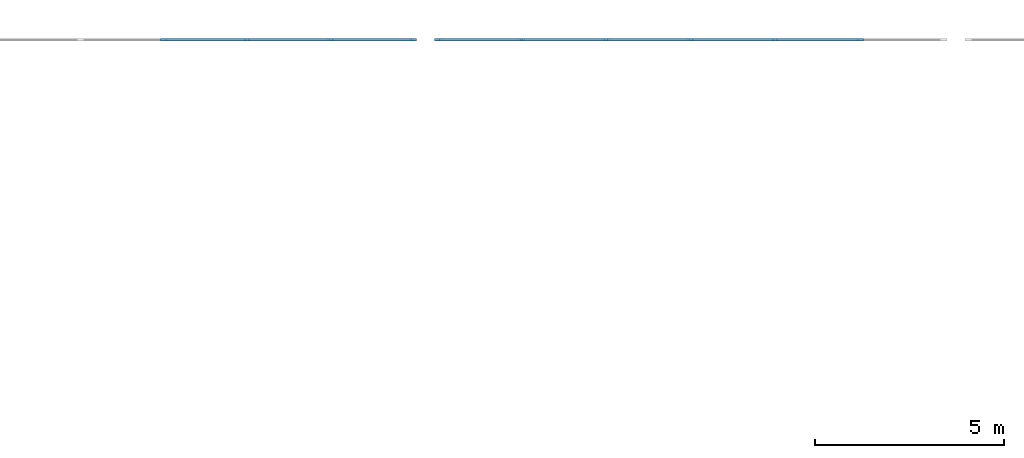
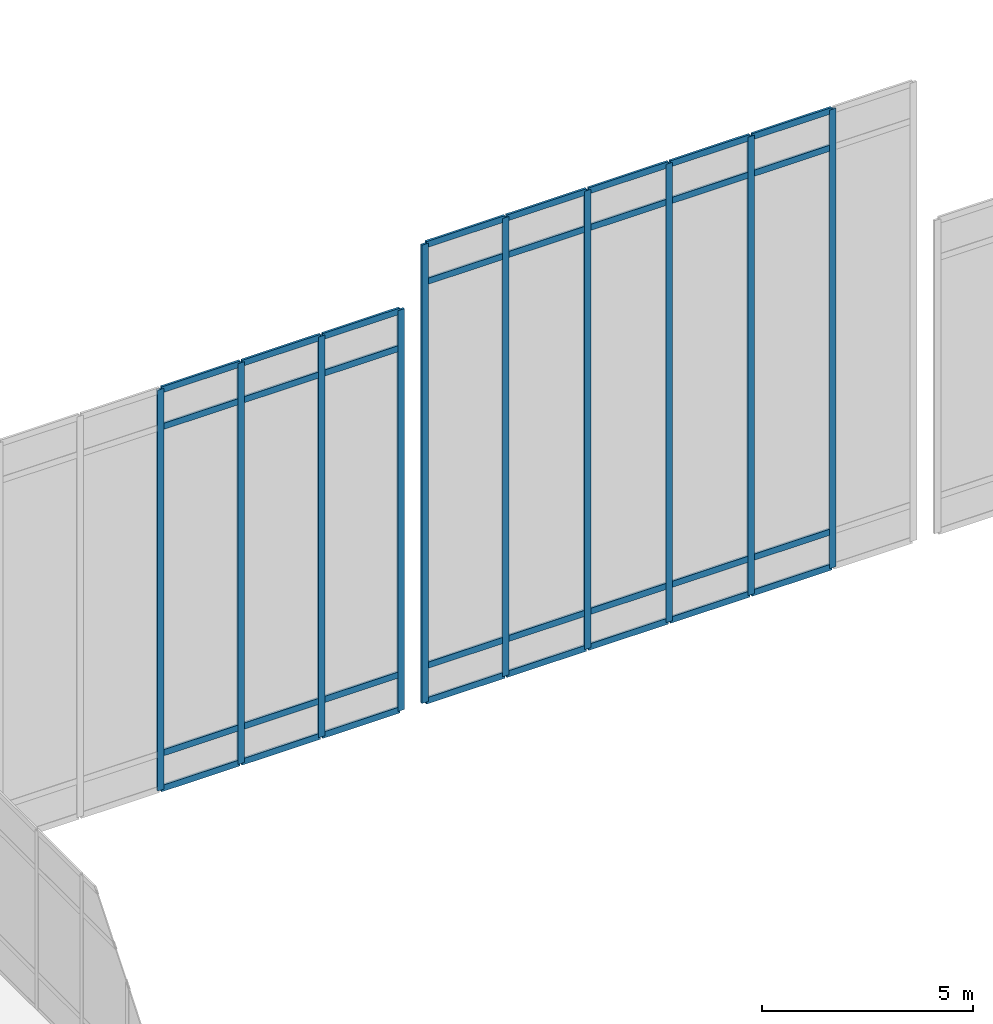
# One storey, part 19 of 42: 42 members, 2 elements without a shape of their own.
"""IFC4 building model written with IfcOpenShell, lengths in metres."""

from ifc_helpers import new_model, si_unit, derived_unit, direction, frame, origin, origin_2d, place, context, subcontext, project, spatial, rectangle, extrude, material, layer, layer_set, material_profile, profile_set, type_object, element, aggregate, save


model = new_model("IFC4")

# Units and contexts
model_context = context("Model", 3, precision=1e-05, world=origin(), true_north=direction((0.0, 1.0)))
body_context = subcontext(model_context, "Body", "Model", "MODEL_VIEW")
ifc_project = project(units=[si_unit("LENGTHUNIT", "METRE"), si_unit("AREAUNIT", "SQUARE_METRE"), si_unit("VOLUMEUNIT", "CUBIC_METRE"), si_unit("PLANEANGLEUNIT", "RADIAN"), si_unit("MASSUNIT", "GRAM", prefix="KILO"), derived_unit("THERMALTRANSMITTANCEUNIT", [(si_unit("MASSUNIT", "GRAM", prefix="KILO"), 1), (si_unit("TIMEUNIT", "SECOND"), -3), (si_unit("THERMODYNAMICTEMPERATUREUNIT", "KELVIN"), -1)])], contexts=[model_context])

# Site, building, storey
site_placement = place(None, origin())
site = spatial("IfcSite", under=ifc_project, at=site_placement, CompositionType="ELEMENT")
building_placement = place(site_placement, origin())
building = spatial("IfcBuilding", under=site, at=building_placement, Name="Valcora Ridge Arena", CompositionType="ELEMENT")
storey_placement = place(building_placement, frame((0.0, 0.0, 26.39990234375)))
storey = spatial("IfcBuildingStorey", under=building, at=storey_placement, Name="L05", CompositionType="ELEMENT", Elevation=26.39990234375)

# Curtain wall, members
ifc_material = material(Name="Anodised dark bronze architectural aluminium 6063-T6", Category="aluminium")
ifc_layer_1 = layer(ifc_material, 0.179931640625, Name="Anodised dark bronze architectural aluminium 6063-T6")
ifc_layer_set_1 = layer_set([ifc_layer_1], Name="Anodised dark bronze architectural aluminium 6063-T6")
curtain_wall_type_1 = type_object("IfcCurtainWallType", Name="TY-CURTAINWALL-CW-V1-TYMPN-132X116", PredefinedType="NOTDEFINED", material=ifc_layer_set_1)
curtain_wall_1_placement = place(storey_placement, origin())
curtain_wall_1 = element("IfcCurtainWall", 1, at=curtain_wall_1_placement, inside=storey, type_object=curtain_wall_type_1, Name="CW-V1-TYMPN-132X116 CW-0173", PredefinedType="NOTDEFINED")
ifc_material_profile_1 = material_profile(ifc_material, rectangle(XDim=0.06005859375, YDim=0.179931640625, at=origin_2d()), Name="ALU MULLION 60x180")
ifc_profile_set_1 = profile_set([ifc_material_profile_1], Name="Anodised dark bronze architectural aluminium 6063-T6")
member_type_1 = type_object("IfcMemberType", Name="TY-MEM-CWM-60x180", PredefinedType="MULLION", material=ifc_profile_set_1)
member_1_placement = place(storey_placement, frame((45.39990234375, 107.97998046875, 0.0), z_axis=(0.0, 0.0, 1.0), x_axis=(0.0, 1.0, 0.0)))
member_1 = element("IfcMember", 2, at=member_1_placement, type_object=member_type_1, Name="CW-0173/CWM-60x180/M03", PredefinedType="MULLION", context=body_context, shape_type="SweptSolid", body=[
    extrude(rectangle(XDim=0.06005859375, YDim=0.179931640625, at=origin_2d()), origin(), (0.0, 0.0, 1.0), 11.57666015625),
])
member_2_placement = place(storey_placement, frame((47.60009765625, 107.97998046875, 0.0), z_axis=(0.0, 0.0, 1.0), x_axis=(0.0, 1.0, 0.0)))
member_2 = element("IfcMember", 3, at=member_2_placement, type_object=member_type_1, Name="CW-0173/CWM-60x180/M04", PredefinedType="MULLION", context=body_context, shape_type="SweptSolid", body=[
    extrude(rectangle(XDim=0.06005859375, YDim=0.179931640625, at=origin_2d()), origin(), (0.0, 0.0, 1.0), 11.57666015625),
])
member_3_placement = place(storey_placement, frame((49.800048828125, 107.97998046875, 0.0), z_axis=(0.0, 0.0, 1.0), x_axis=(0.0, 1.0, 0.0)))
member_3 = element("IfcMember", 4, at=member_3_placement, type_object=member_type_1, Name="CW-0173/CWM-60x180/M05", PredefinedType="MULLION", context=body_context, shape_type="SweptSolid", body=[
    extrude(rectangle(XDim=0.06005859375, YDim=0.179931640625, at=origin_2d()), origin(), (0.0, 0.0, 1.0), 11.57666015625),
])
member_4_placement = place(storey_placement, frame((51.969970703125, 107.97998046875, 0.0), z_axis=(0.0, 0.0, 1.0), x_axis=(0.0, 1.0, 0.0)))
member_4 = element("IfcMember", 5, at=member_4_placement, type_object=member_type_1, Name="CW-0173/CWM-60x180/M06", PredefinedType="MULLION", context=body_context, shape_type="SweptSolid", body=[
    extrude(rectangle(XDim=0.06005859375, YDim=0.179931640625, at=origin_2d()), origin(), (0.0, 0.0, 1.0), 11.57666015625),
])

ifc_layer_2 = layer(ifc_material, 0.179931640625, Name="Anodised dark bronze architectural aluminium 6063-T6")
ifc_layer_set_2 = layer_set([ifc_layer_2], Name="Anodised dark bronze architectural aluminium 6063-T6")
curtain_wall_type_2 = type_object("IfcCurtainWallType", Name="TY-CURTAINWALL-CW-V1-TYMPN-134X132", PredefinedType="NOTDEFINED", material=ifc_layer_set_2)
curtain_wall_2_placement = place(storey_placement, origin())
curtain_wall_2 = element("IfcCurtainWall", 6, at=curtain_wall_2_placement, inside=storey, type_object=curtain_wall_type_2, Name="CW-V1-TYMPN-134X132 CW-0175", PredefinedType="NOTDEFINED")
member_5_placement = place(storey_placement, frame((52.6298828125, 107.97998046875, 0.0), z_axis=(0.0, 0.0, 1.0), x_axis=(0.0, 1.0, 0.0)))
member_5 = element("IfcMember", 7, at=member_5_placement, type_object=member_type_1, Name="CW-0175/CWM-60x180/M00", PredefinedType="MULLION", context=body_context, shape_type="SweptSolid", body=[
    extrude(rectangle(XDim=0.06005859375, YDim=0.179931640625, at=origin_2d()), origin(), (0.0, 0.0, 1.0), 13.239990234375),
])
member_6_placement = place(storey_placement, frame((54.833251953125, 107.97998046875, 0.0), z_axis=(0.0, 0.0, 1.0), x_axis=(0.0, 1.0, 0.0)))
member_6 = element("IfcMember", 8, at=member_6_placement, type_object=member_type_1, Name="CW-0175/CWM-60x180/M01", PredefinedType="MULLION", context=body_context, shape_type="SweptSolid", body=[
    extrude(rectangle(XDim=0.06005859375, YDim=0.179931640625, at=origin_2d()), origin(), (0.0, 0.0, 1.0), 13.239990234375),
])
member_7_placement = place(storey_placement, frame((57.066650390625, 107.97998046875, 0.0), z_axis=(0.0, 0.0, 1.0), x_axis=(0.0, 1.0, 0.0)))
member_7 = element("IfcMember", 9, at=member_7_placement, type_object=member_type_1, Name="CW-0175/CWM-60x180/M02", PredefinedType="MULLION", context=body_context, shape_type="SweptSolid", body=[
    extrude(rectangle(XDim=0.06005859375, YDim=0.179931640625, at=origin_2d()), origin(), (0.0, 0.0, 1.0), 13.239990234375),
])
member_8_placement = place(storey_placement, frame((59.300048828125, 107.97998046875, 0.0), z_axis=(0.0, 0.0, 1.0), x_axis=(0.0, 1.0, 0.0)))
member_8 = element("IfcMember", 10, at=member_8_placement, type_object=member_type_1, Name="CW-0175/CWM-60x180/M03", PredefinedType="MULLION", context=body_context, shape_type="SweptSolid", body=[
    extrude(rectangle(XDim=0.06005859375, YDim=0.179931640625, at=origin_2d()), origin(), (0.0, 0.0, 1.0), 13.239990234375),
])
member_9_placement = place(storey_placement, frame((61.533203125, 107.97998046875, 0.0), z_axis=(0.0, 0.0, 1.0), x_axis=(0.0, 1.0, 0.0)))
member_9 = element("IfcMember", 11, at=member_9_placement, type_object=member_type_1, Name="CW-0175/CWM-60x180/M04", PredefinedType="MULLION", context=body_context, shape_type="SweptSolid", body=[
    extrude(rectangle(XDim=0.06005859375, YDim=0.179931640625, at=origin_2d()), origin(), (0.0, 0.0, 1.0), 13.239990234375),
])
member_10_placement = place(storey_placement, frame((63.7666015625, 107.97998046875, 0.0), z_axis=(0.0, 0.0, 1.0), x_axis=(0.0, 1.0, 0.0)))
member_10 = element("IfcMember", 12, at=member_10_placement, type_object=member_type_1, Name="CW-0175/CWM-60x180/M05", PredefinedType="MULLION", context=body_context, shape_type="SweptSolid", body=[
    extrude(rectangle(XDim=0.06005859375, YDim=0.179931640625, at=origin_2d()), origin(), (0.0, 0.0, 1.0), 13.239990234375),
])

# Member
ifc_material_profile_2 = material_profile(ifc_material, rectangle(XDim=0.06005859375, YDim=0.179931640625, at=origin_2d()), Name="ALU TRANSOM 60x180")
ifc_profile_set_2 = profile_set([ifc_material_profile_2], Name="Anodised dark bronze architectural aluminium 6063-T6")
member_type_2 = type_object("IfcMemberType", Name="TY-MEM-CWT-60x180", PredefinedType="USERDEFINED", material=ifc_profile_set_2)
member_11_placement = place(storey_placement, frame((45.429931640625, 107.97998046875, 0.030029296875), z_axis=(1.0, 0.0, 0.0), x_axis=(0.0, 1.0, 0.0)))
member_11 = element("IfcMember", 13, at=member_11_placement, type_object=member_type_2, Name="CW-0173/CWT-60x180/T03-00", ObjectType="TRANSOM", PredefinedType="USERDEFINED", context=body_context, shape_type="SweptSolid", body=[
    extrude(rectangle(XDim=0.06005859375, YDim=0.179931640625, at=origin_2d()), origin(), (0.0, 0.0, 1.0), 2.14013671875),
])

member_12_placement = place(storey_placement, frame((45.429931640625, 107.97998046875, 1.050048828125), z_axis=(1.0, 0.0, 0.0), x_axis=(0.0, 1.0, 0.0)))
member_12 = element("IfcMember", 14, at=member_12_placement, type_object=member_type_2, Name="CW-0173/CWT-60x180/T03-01", ObjectType="TRANSOM", PredefinedType="USERDEFINED", context=body_context, shape_type="SweptSolid", body=[
    extrude(rectangle(XDim=0.06005859375, YDim=0.179931640625, at=origin_2d()), origin(), (0.0, 0.0, 1.0), 2.14013671875),
])

member_13_placement = place(storey_placement, frame((45.429931640625, 107.97998046875, 10.476806640625), z_axis=(1.0, 0.0, 0.0), x_axis=(0.0, 1.0, 0.0)))
member_13 = element("IfcMember", 15, at=member_13_placement, type_object=member_type_2, Name="CW-0173/CWT-60x180/T03-02", ObjectType="TRANSOM", PredefinedType="USERDEFINED", context=body_context, shape_type="SweptSolid", body=[
    extrude(rectangle(XDim=0.06005859375, YDim=0.179931640625, at=origin_2d()), origin(), (0.0, 0.0, 1.0), 2.14013671875),
])

member_14_placement = place(storey_placement, frame((45.429931640625, 107.97998046875, 11.546630859375), z_axis=(1.0, 0.0, 0.0), x_axis=(0.0, 1.0, 0.0)))
member_14 = element("IfcMember", 16, at=member_14_placement, type_object=member_type_2, Name="CW-0173/CWT-60x180/T03-03", ObjectType="TRANSOM", PredefinedType="USERDEFINED", context=body_context, shape_type="SweptSolid", body=[
    extrude(rectangle(XDim=0.06005859375, YDim=0.179931640625, at=origin_2d()), origin(), (0.0, 0.0, 1.0), 2.14013671875),
])

member_15_placement = place(storey_placement, frame((47.6298828125, 107.97998046875, 0.030029296875), z_axis=(1.0, 0.0, 0.0), x_axis=(0.0, 1.0, 0.0)))
member_15 = element("IfcMember", 17, at=member_15_placement, type_object=member_type_2, Name="CW-0173/CWT-60x180/T04-00", ObjectType="TRANSOM", PredefinedType="USERDEFINED", context=body_context, shape_type="SweptSolid", body=[
    extrude(rectangle(XDim=0.06005859375, YDim=0.179931640625, at=origin_2d()), origin(), (0.0, 0.0, 1.0), 2.14013671875),
])

member_16_placement = place(storey_placement, frame((47.6298828125, 107.97998046875, 1.050048828125), z_axis=(1.0, 0.0, 0.0), x_axis=(0.0, 1.0, 0.0)))
member_16 = element("IfcMember", 18, at=member_16_placement, type_object=member_type_2, Name="CW-0173/CWT-60x180/T04-01", ObjectType="TRANSOM", PredefinedType="USERDEFINED", context=body_context, shape_type="SweptSolid", body=[
    extrude(rectangle(XDim=0.06005859375, YDim=0.179931640625, at=origin_2d()), origin(), (0.0, 0.0, 1.0), 2.14013671875),
])

member_17_placement = place(storey_placement, frame((47.6298828125, 107.97998046875, 10.476806640625), z_axis=(1.0, 0.0, 0.0), x_axis=(0.0, 1.0, 0.0)))
member_17 = element("IfcMember", 19, at=member_17_placement, type_object=member_type_2, Name="CW-0173/CWT-60x180/T04-02", ObjectType="TRANSOM", PredefinedType="USERDEFINED", context=body_context, shape_type="SweptSolid", body=[
    extrude(rectangle(XDim=0.06005859375, YDim=0.179931640625, at=origin_2d()), origin(), (0.0, 0.0, 1.0), 2.14013671875),
])

member_18_placement = place(storey_placement, frame((47.6298828125, 107.97998046875, 11.546630859375), z_axis=(1.0, 0.0, 0.0), x_axis=(0.0, 1.0, 0.0)))
member_18 = element("IfcMember", 20, at=member_18_placement, type_object=member_type_2, Name="CW-0173/CWT-60x180/T04-03", ObjectType="TRANSOM", PredefinedType="USERDEFINED", context=body_context, shape_type="SweptSolid", body=[
    extrude(rectangle(XDim=0.06005859375, YDim=0.179931640625, at=origin_2d()), origin(), (0.0, 0.0, 1.0), 2.14013671875),
])

member_19_placement = place(storey_placement, frame((49.830078125, 107.97998046875, 0.030029296875), z_axis=(1.0, 0.0, 0.0), x_axis=(0.0, 1.0, 0.0)))
member_19 = element("IfcMember", 21, at=member_19_placement, type_object=member_type_2, Name="CW-0173/CWT-60x180/T05-00", ObjectType="TRANSOM", PredefinedType="USERDEFINED", context=body_context, shape_type="SweptSolid", body=[
    extrude(rectangle(XDim=0.06005859375, YDim=0.179931640625, at=origin_2d()), origin(), (0.0, 0.0, 1.0), 2.10986328125),
])

member_20_placement = place(storey_placement, frame((49.830078125, 107.97998046875, 1.050048828125), z_axis=(1.0, 0.0, 0.0), x_axis=(0.0, 1.0, 0.0)))
member_20 = element("IfcMember", 22, at=member_20_placement, type_object=member_type_2, Name="CW-0173/CWT-60x180/T05-01", ObjectType="TRANSOM", PredefinedType="USERDEFINED", context=body_context, shape_type="SweptSolid", body=[
    extrude(rectangle(XDim=0.06005859375, YDim=0.179931640625, at=origin_2d()), origin(), (0.0, 0.0, 1.0), 2.10986328125),
])

member_21_placement = place(storey_placement, frame((49.830078125, 107.97998046875, 10.476806640625), z_axis=(1.0, 0.0, 0.0), x_axis=(0.0, 1.0, 0.0)))
member_21 = element("IfcMember", 23, at=member_21_placement, type_object=member_type_2, Name="CW-0173/CWT-60x180/T05-02", ObjectType="TRANSOM", PredefinedType="USERDEFINED", context=body_context, shape_type="SweptSolid", body=[
    extrude(rectangle(XDim=0.06005859375, YDim=0.179931640625, at=origin_2d()), origin(), (0.0, 0.0, 1.0), 2.10986328125),
])

member_22_placement = place(storey_placement, frame((49.830078125, 107.97998046875, 11.546630859375), z_axis=(1.0, 0.0, 0.0), x_axis=(0.0, 1.0, 0.0)))
member_22 = element("IfcMember", 24, at=member_22_placement, type_object=member_type_2, Name="CW-0173/CWT-60x180/T05-03", ObjectType="TRANSOM", PredefinedType="USERDEFINED", context=body_context, shape_type="SweptSolid", body=[
    extrude(rectangle(XDim=0.06005859375, YDim=0.179931640625, at=origin_2d()), origin(), (0.0, 0.0, 1.0), 2.10986328125),
])

aggregate(curtain_wall_1, [member_1, member_2, member_3, member_4, member_11, member_12, member_13, member_14, member_15, member_16, member_17, member_18, member_19, member_20, member_21, member_22])

member_23_placement = place(storey_placement, frame((52.659912109375, 107.97998046875, 0.030029296875), z_axis=(1.0, 0.0, 0.0), x_axis=(0.0, 1.0, 0.0)))
member_23 = element("IfcMember", 25, at=member_23_placement, type_object=member_type_2, Name="CW-0175/CWT-60x180/T00-00", ObjectType="TRANSOM", PredefinedType="USERDEFINED", context=body_context, shape_type="SweptSolid", body=[
    extrude(rectangle(XDim=0.06005859375, YDim=0.179931640625, at=origin_2d()), origin(), (0.0, 0.0, 1.0), 2.14306640625),
])

member_24_placement = place(storey_placement, frame((52.659912109375, 107.97998046875, 1.050048828125), z_axis=(1.0, 0.0, 0.0), x_axis=(0.0, 1.0, 0.0)))
member_24 = element("IfcMember", 26, at=member_24_placement, type_object=member_type_2, Name="CW-0175/CWT-60x180/T00-01", ObjectType="TRANSOM", PredefinedType="USERDEFINED", context=body_context, shape_type="SweptSolid", body=[
    extrude(rectangle(XDim=0.06005859375, YDim=0.179931640625, at=origin_2d()), origin(), (0.0, 0.0, 1.0), 2.14306640625),
])

member_25_placement = place(storey_placement, frame((52.659912109375, 107.97998046875, 12.139892578125), z_axis=(1.0, 0.0, 0.0), x_axis=(0.0, 1.0, 0.0)))
member_25 = element("IfcMember", 27, at=member_25_placement, type_object=member_type_2, Name="CW-0175/CWT-60x180/T00-02", ObjectType="TRANSOM", PredefinedType="USERDEFINED", context=body_context, shape_type="SweptSolid", body=[
    extrude(rectangle(XDim=0.06005859375, YDim=0.179931640625, at=origin_2d()), origin(), (0.0, 0.0, 1.0), 2.14306640625),
])

member_26_placement = place(storey_placement, frame((52.659912109375, 107.97998046875, 13.2099609375), z_axis=(1.0, 0.0, 0.0), x_axis=(0.0, 1.0, 0.0)))
member_26 = element("IfcMember", 28, at=member_26_placement, type_object=member_type_2, Name="CW-0175/CWT-60x180/T00-03", ObjectType="TRANSOM", PredefinedType="USERDEFINED", context=body_context, shape_type="SweptSolid", body=[
    extrude(rectangle(XDim=0.06005859375, YDim=0.179931640625, at=origin_2d()), origin(), (0.0, 0.0, 1.0), 2.14306640625),
])

member_27_placement = place(storey_placement, frame((54.863037109375, 107.97998046875, 0.030029296875), z_axis=(1.0, 0.0, 0.0), x_axis=(0.0, 1.0, 0.0)))
member_27 = element("IfcMember", 29, at=member_27_placement, type_object=member_type_2, Name="CW-0175/CWT-60x180/T01-00", ObjectType="TRANSOM", PredefinedType="USERDEFINED", context=body_context, shape_type="SweptSolid", body=[
    extrude(rectangle(XDim=0.06005859375, YDim=0.179931640625, at=origin_2d()), origin(), (0.0, 0.0, 1.0), 2.174072265625),
])

member_28_placement = place(storey_placement, frame((54.863037109375, 107.97998046875, 1.050048828125), z_axis=(1.0, 0.0, 0.0), x_axis=(0.0, 1.0, 0.0)))
member_28 = element("IfcMember", 30, at=member_28_placement, type_object=member_type_2, Name="CW-0175/CWT-60x180/T01-01", ObjectType="TRANSOM", PredefinedType="USERDEFINED", context=body_context, shape_type="SweptSolid", body=[
    extrude(rectangle(XDim=0.06005859375, YDim=0.179931640625, at=origin_2d()), origin(), (0.0, 0.0, 1.0), 2.174072265625),
])

member_29_placement = place(storey_placement, frame((54.863037109375, 107.97998046875, 12.139892578125), z_axis=(1.0, 0.0, 0.0), x_axis=(0.0, 1.0, 0.0)))
member_29 = element("IfcMember", 31, at=member_29_placement, type_object=member_type_2, Name="CW-0175/CWT-60x180/T01-02", ObjectType="TRANSOM", PredefinedType="USERDEFINED", context=body_context, shape_type="SweptSolid", body=[
    extrude(rectangle(XDim=0.06005859375, YDim=0.179931640625, at=origin_2d()), origin(), (0.0, 0.0, 1.0), 2.174072265625),
])

member_30_placement = place(storey_placement, frame((54.863037109375, 107.97998046875, 13.2099609375), z_axis=(1.0, 0.0, 0.0), x_axis=(0.0, 1.0, 0.0)))
member_30 = element("IfcMember", 32, at=member_30_placement, type_object=member_type_2, Name="CW-0175/CWT-60x180/T01-03", ObjectType="TRANSOM", PredefinedType="USERDEFINED", context=body_context, shape_type="SweptSolid", body=[
    extrude(rectangle(XDim=0.06005859375, YDim=0.179931640625, at=origin_2d()), origin(), (0.0, 0.0, 1.0), 2.174072265625),
])

member_31_placement = place(storey_placement, frame((57.096923828125, 107.97998046875, 0.030029296875), z_axis=(1.0, 0.0, 0.0), x_axis=(0.0, 1.0, 0.0)))
member_31 = element("IfcMember", 33, at=member_31_placement, type_object=member_type_2, Name="CW-0175/CWT-60x180/T02-00", ObjectType="TRANSOM", PredefinedType="USERDEFINED", context=body_context, shape_type="SweptSolid", body=[
    extrude(rectangle(XDim=0.06005859375, YDim=0.179931640625, at=origin_2d()), origin(), (0.0, 0.0, 1.0), 2.173095703125),
])

member_32_placement = place(storey_placement, frame((57.096923828125, 107.97998046875, 1.050048828125), z_axis=(1.0, 0.0, 0.0), x_axis=(0.0, 1.0, 0.0)))
member_32 = element("IfcMember", 34, at=member_32_placement, type_object=member_type_2, Name="CW-0175/CWT-60x180/T02-01", ObjectType="TRANSOM", PredefinedType="USERDEFINED", context=body_context, shape_type="SweptSolid", body=[
    extrude(rectangle(XDim=0.06005859375, YDim=0.179931640625, at=origin_2d()), origin(), (0.0, 0.0, 1.0), 2.173095703125),
])

member_33_placement = place(storey_placement, frame((57.096923828125, 107.97998046875, 12.139892578125), z_axis=(1.0, 0.0, 0.0), x_axis=(0.0, 1.0, 0.0)))
member_33 = element("IfcMember", 35, at=member_33_placement, type_object=member_type_2, Name="CW-0175/CWT-60x180/T02-02", ObjectType="TRANSOM", PredefinedType="USERDEFINED", context=body_context, shape_type="SweptSolid", body=[
    extrude(rectangle(XDim=0.06005859375, YDim=0.179931640625, at=origin_2d()), origin(), (0.0, 0.0, 1.0), 2.173095703125),
])

member_34_placement = place(storey_placement, frame((57.096923828125, 107.97998046875, 13.2099609375), z_axis=(1.0, 0.0, 0.0), x_axis=(0.0, 1.0, 0.0)))
member_34 = element("IfcMember", 36, at=member_34_placement, type_object=member_type_2, Name="CW-0175/CWT-60x180/T02-03", ObjectType="TRANSOM", PredefinedType="USERDEFINED", context=body_context, shape_type="SweptSolid", body=[
    extrude(rectangle(XDim=0.06005859375, YDim=0.179931640625, at=origin_2d()), origin(), (0.0, 0.0, 1.0), 2.173095703125),
])

member_35_placement = place(storey_placement, frame((59.330078125, 107.97998046875, 0.030029296875), z_axis=(1.0, 0.0, 0.0), x_axis=(0.0, 1.0, 0.0)))
member_35 = element("IfcMember", 37, at=member_35_placement, type_object=member_type_2, Name="CW-0175/CWT-60x180/T03-00", ObjectType="TRANSOM", PredefinedType="USERDEFINED", context=body_context, shape_type="SweptSolid", body=[
    extrude(rectangle(XDim=0.06005859375, YDim=0.179931640625, at=origin_2d()), origin(), (0.0, 0.0, 1.0), 2.1728515625),
])

member_36_placement = place(storey_placement, frame((59.330078125, 107.97998046875, 1.050048828125), z_axis=(1.0, 0.0, 0.0), x_axis=(0.0, 1.0, 0.0)))
member_36 = element("IfcMember", 38, at=member_36_placement, type_object=member_type_2, Name="CW-0175/CWT-60x180/T03-01", ObjectType="TRANSOM", PredefinedType="USERDEFINED", context=body_context, shape_type="SweptSolid", body=[
    extrude(rectangle(XDim=0.06005859375, YDim=0.179931640625, at=origin_2d()), origin(), (0.0, 0.0, 1.0), 2.1728515625),
])

member_37_placement = place(storey_placement, frame((59.330078125, 107.97998046875, 12.139892578125), z_axis=(1.0, 0.0, 0.0), x_axis=(0.0, 1.0, 0.0)))
member_37 = element("IfcMember", 39, at=member_37_placement, type_object=member_type_2, Name="CW-0175/CWT-60x180/T03-02", ObjectType="TRANSOM", PredefinedType="USERDEFINED", context=body_context, shape_type="SweptSolid", body=[
    extrude(rectangle(XDim=0.06005859375, YDim=0.179931640625, at=origin_2d()), origin(), (0.0, 0.0, 1.0), 2.1728515625),
])

member_38_placement = place(storey_placement, frame((59.330078125, 107.97998046875, 13.2099609375), z_axis=(1.0, 0.0, 0.0), x_axis=(0.0, 1.0, 0.0)))
member_38 = element("IfcMember", 40, at=member_38_placement, type_object=member_type_2, Name="CW-0175/CWT-60x180/T03-03", ObjectType="TRANSOM", PredefinedType="USERDEFINED", context=body_context, shape_type="SweptSolid", body=[
    extrude(rectangle(XDim=0.06005859375, YDim=0.179931640625, at=origin_2d()), origin(), (0.0, 0.0, 1.0), 2.1728515625),
])

member_39_placement = place(storey_placement, frame((61.56298828125, 107.97998046875, 0.030029296875), z_axis=(1.0, 0.0, 0.0), x_axis=(0.0, 1.0, 0.0)))
member_39 = element("IfcMember", 41, at=member_39_placement, type_object=member_type_2, Name="CW-0175/CWT-60x180/T04-00", ObjectType="TRANSOM", PredefinedType="USERDEFINED", context=body_context, shape_type="SweptSolid", body=[
    extrude(rectangle(XDim=0.06005859375, YDim=0.179931640625, at=origin_2d()), origin(), (0.0, 0.0, 1.0), 2.174072265625),
])

member_40_placement = place(storey_placement, frame((61.56298828125, 107.97998046875, 1.050048828125), z_axis=(1.0, 0.0, 0.0), x_axis=(0.0, 1.0, 0.0)))
member_40 = element("IfcMember", 42, at=member_40_placement, type_object=member_type_2, Name="CW-0175/CWT-60x180/T04-01", ObjectType="TRANSOM", PredefinedType="USERDEFINED", context=body_context, shape_type="SweptSolid", body=[
    extrude(rectangle(XDim=0.06005859375, YDim=0.179931640625, at=origin_2d()), origin(), (0.0, 0.0, 1.0), 2.174072265625),
])

member_41_placement = place(storey_placement, frame((61.56298828125, 107.97998046875, 12.139892578125), z_axis=(1.0, 0.0, 0.0), x_axis=(0.0, 1.0, 0.0)))
member_41 = element("IfcMember", 43, at=member_41_placement, type_object=member_type_2, Name="CW-0175/CWT-60x180/T04-02", ObjectType="TRANSOM", PredefinedType="USERDEFINED", context=body_context, shape_type="SweptSolid", body=[
    extrude(rectangle(XDim=0.06005859375, YDim=0.179931640625, at=origin_2d()), origin(), (0.0, 0.0, 1.0), 2.174072265625),
])

member_42_placement = place(storey_placement, frame((61.56298828125, 107.97998046875, 13.2099609375), z_axis=(1.0, 0.0, 0.0), x_axis=(0.0, 1.0, 0.0)))
member_42 = element("IfcMember", 44, at=member_42_placement, type_object=member_type_2, Name="CW-0175/CWT-60x180/T04-03", ObjectType="TRANSOM", PredefinedType="USERDEFINED", context=body_context, shape_type="SweptSolid", body=[
    extrude(rectangle(XDim=0.06005859375, YDim=0.179931640625, at=origin_2d()), origin(), (0.0, 0.0, 1.0), 2.174072265625),
])

aggregate(curtain_wall_2, [member_5, member_6, member_7, member_8, member_9, member_10, member_23, member_24, member_25, member_26, member_27, member_28, member_29, member_30, member_31, member_32, member_33, member_34, member_35, member_36, member_37, member_38, member_39, member_40, member_41, member_42])

save(model, "model.ifc")
